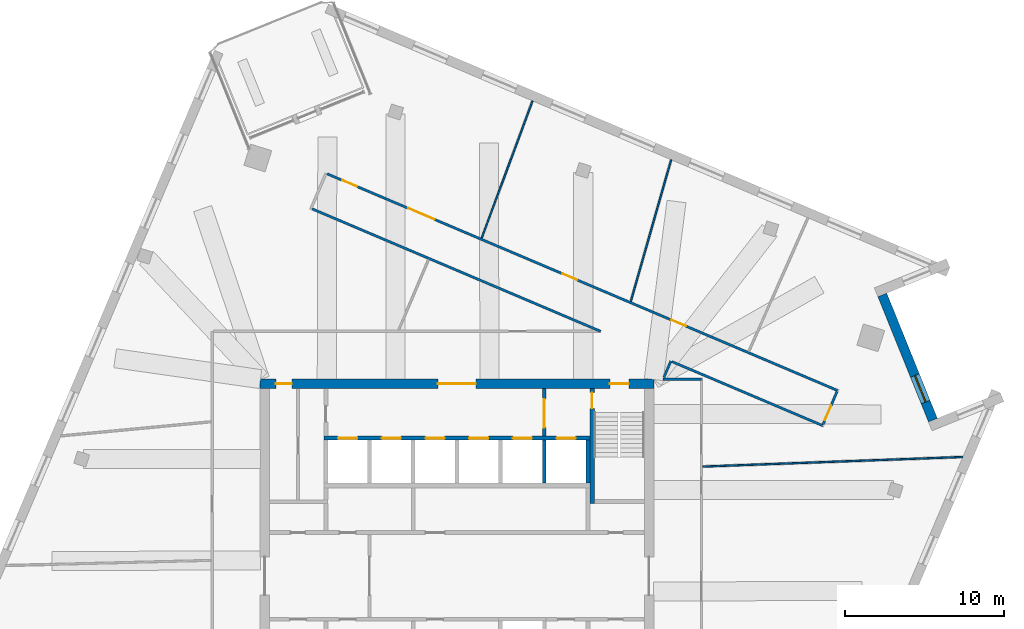
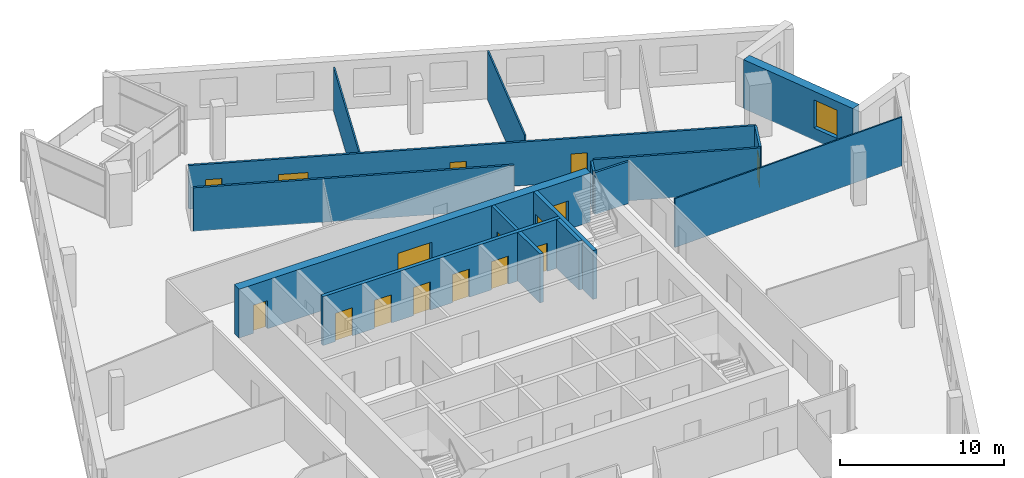
# One storey, part 10 of 13: 16 doors, 16 walls, 1 window, 17 openings.
"""IFC4 building model written with IfcOpenShell, lengths in metres."""

from ifc_helpers import new_model, si_unit, direction, frame, frame_2d, origin, place, context, subcontext, project, spatial, rectangle, extrude, material, layer, layer_set, type_object, element, fill, save


model = new_model("IFC4")

# Units and contexts
model_context = context("Model", 3, precision=1e-05, world=origin(), true_north=direction((0.0, 1.0)))
body_context = subcontext(model_context, "Body", "Model", "MODEL_VIEW")
ifc_project = project(units=[si_unit("LENGTHUNIT", "METRE"), si_unit("AREAUNIT", "SQUARE_METRE"), si_unit("VOLUMEUNIT", "CUBIC_METRE"), si_unit("PLANEANGLEUNIT", "RADIAN"), si_unit("MASSUNIT", "GRAM", prefix="KILO")], contexts=[model_context])

# Site, building, storey
site_placement = place(None, origin())
site = spatial("IfcSite", under=ifc_project, at=site_placement, CompositionType="ELEMENT")
building_placement = place(site_placement, origin())
building = spatial("IfcBuilding", under=site, at=building_placement, Name="Dilmun Exchange Tower", CompositionType="ELEMENT")
storey_placement = place(building_placement, frame((0.0, 0.0, 296.5)))
storey = spatial("IfcBuildingStorey", under=building, at=storey_placement, Name="L70", CompositionType="ELEMENT", Elevation=296.5)

# Wall, opening, door
ifc_material_1 = material(Name="Concrete C40/50", Category="concrete")
ifc_layer_1 = layer(ifc_material_1, 0.199951171875)
ifc_layer_set_1 = layer_set([ifc_layer_1], Name="Concrete C40/50")
wall_type_1 = type_object("IfcWallType", Name="Core partition wall 200", PredefinedType="PARTITIONING", material=ifc_layer_set_1)
wall_1_placement = place(storey_placement, frame((5.5, 8.804931640625, 0.0), z_axis=(0.0, 0.0, 1.0), x_axis=(0.0, 1.0, 0.0)))
wall_1 = element("IfcWall", 1, at=wall_1_placement, inside=storey, type_object=wall_type_1, Name="L70 core partition wall 20", PredefinedType="PARTITIONING", context=body_context, shape_type="SweptSolid", body=[
    extrude(rectangle(XDim=2.989990234375, YDim=0.199951171875, at=frame_2d((1.4951171875, 0.0))), origin(), (0.0, 0.0, 1.0), 3.64990234375),
])
opening_1_placement = place(wall_1_placement, frame((0.532470703125, 0.0, 0.0)))
opening_1 = element("IfcOpeningElement", 2, at=opening_1_placement, cuts=wall_1, Name="Opening CD5", PredefinedType="OPENING", context=body_context, shape_type="SweptSolid", body=[
    extrude(rectangle(XDim=1.800048828125, YDim=2.10009765625, at=frame_2d((0.89990234375, 1.050048828125))), frame((0.0, 0.10986328125, 0.0), z_axis=(0.0, -1.0, 0.0), x_axis=(1.0, 0.0, 0.0)), (0.0, 0.0, 1.0), 0.219970703125),
])
ifc_material_2 = material(Name="Fire-rated steel door set", Category="steel")
door_type_1 = type_object("IfcDoorType", Name="Stair exit door 1800x2100", OperationType="SINGLE_SWING_LEFT", PredefinedType="DOOR", material=ifc_material_2)
door_1_placement = place(opening_1_placement, origin())
door_1 = element("IfcDoor", 3, at=door_1_placement, inside=storey, type_object=door_type_1, Name="L70 door Lift lobby east", OperationType="SINGLE_SWING_LEFT", OverallHeight=2.10009765625, OverallWidth=1.800048828125, PredefinedType="DOOR", context=body_context, shape_type="SweptSolid", body=[
    extrude(rectangle(XDim=1.800048828125, YDim=2.10009765625, at=frame_2d((0.89990234375, 1.050048828125))), frame((0.0, 0.02490234375, 0.0), z_axis=(0.0, -1.0, 0.0), x_axis=(1.0, 0.0, 0.0)), (0.0, 0.0, 1.0), 0.050048828125),
])
fill(opening_1, door_1)

# Wall, openings, doors
ifc_material_3 = material(Name="Concrete C50/60", Category="concrete")
ifc_layer_2 = layer(ifc_material_3, 0.60009765625)
ifc_layer_set_2 = layer_set([ifc_layer_2], Name="Concrete C50/60")
wall_type_2 = type_object("IfcWallType", Name="Core shear wall 600 Concrete C50/60", PredefinedType="SHEAR", material=ifc_layer_set_2)
wall_2_placement = place(storey_placement, frame((-12.39990234375, 12.10009765625, 0.0), z_axis=(0.0, 0.0, 1.0), x_axis=(1.0, 0.0, 0.0)))
wall_2 = element("IfcWall", 4, at=wall_2_placement, inside=storey, type_object=wall_type_2, Name="L70 core shear wall N", PredefinedType="SHEAR", context=body_context, shape_type="SweptSolid", body=[
    extrude(rectangle(XDim=24.7998046875, YDim=0.60009765625, at=frame_2d((12.39990234375, 0.0))), origin(), (0.0, 0.0, 1.0), 3.64990234375),
])
opening_2_placement = place(wall_2_placement, frame((11.199951171875, 0.0, 0.0)))
opening_2 = element("IfcOpeningElement", 5, at=opening_2_placement, cuts=wall_2, Name="Opening CD1", PredefinedType="OPENING", context=body_context, shape_type="SweptSolid", body=[
    extrude(rectangle(XDim=2.39990234375, YDim=2.39990234375, at=frame_2d((1.199951171875, 1.199951171875))), frame((0.0, 0.31005859375, 0.0), z_axis=(0.0, -1.0, 0.0), x_axis=(1.0, 0.0, 0.0)), (0.0, 0.0, 1.0), 0.6201171875),
])
opening_3_placement = place(wall_2_placement, frame((22.02490234375, 0.0, 0.0)))
opening_3 = element("IfcOpeningElement", 6, at=opening_3_placement, cuts=wall_2, Name="Opening CD3", PredefinedType="OPENING", context=body_context, shape_type="SweptSolid", body=[
    extrude(rectangle(XDim=1.199951171875, YDim=2.10009765625, at=frame_2d((0.60009765625, 1.050048828125))), frame((0.0, 0.31005859375, 0.0), z_axis=(0.0, -1.0, 0.0), x_axis=(1.0, 0.0, 0.0)), (0.0, 0.0, 1.0), 0.6201171875),
])
opening_4_placement = place(wall_2_placement, frame((1.0, 0.0, 0.0)))
opening_4 = element("IfcOpeningElement", 7, at=opening_4_placement, cuts=wall_2, Name="Opening CD4", PredefinedType="OPENING", context=body_context, shape_type="SweptSolid", body=[
    extrude(rectangle(XDim=1.0, YDim=2.10009765625, at=frame_2d((0.5, 1.050048828125))), frame((0.0, 0.31005859375, 0.0), z_axis=(0.0, -1.0, 0.0), x_axis=(1.0, 0.0, 0.0)), (0.0, 0.0, 1.0), 0.6201171875),
])
door_type_2 = type_object("IfcDoorType", Name="Core lobby door 2400x2400", OperationType="DOUBLE_DOOR_DOUBLE_SWING", PredefinedType="DOOR", material=ifc_material_2)
door_2_placement = place(opening_2_placement, origin())
door_2 = element("IfcDoor", 8, at=door_2_placement, inside=storey, type_object=door_type_2, Name="L70 door North lift lobby", OperationType="SINGLE_SWING_LEFT", OverallHeight=2.39990234375, OverallWidth=2.39990234375, PredefinedType="DOOR", context=body_context, shape_type="SweptSolid", body=[
    extrude(rectangle(XDim=2.39990234375, YDim=2.39990234375, at=frame_2d((1.199951171875, 1.199951171875))), frame((0.0, 0.02490234375, 0.0), z_axis=(0.0, -1.0, 0.0), x_axis=(1.0, 0.0, 0.0)), (0.0, 0.0, 1.0), 0.050048828125),
])
fill(opening_2, door_2)
door_type_3 = type_object("IfcDoorType", Name="Core room door 1000x2100", OperationType="SINGLE_SWING_LEFT", PredefinedType="DOOR", material=ifc_material_2)
door_3_placement = place(opening_4_placement, origin())
door_3 = element("IfcDoor", 9, at=door_3_placement, inside=storey, type_object=door_type_3, Name="L70 door North-west core rooms", OperationType="SINGLE_SWING_LEFT", OverallHeight=2.10009765625, OverallWidth=1.0, PredefinedType="DOOR", context=body_context, shape_type="SweptSolid", body=[
    extrude(rectangle(XDim=1.0, YDim=2.10009765625, at=frame_2d((0.5, 1.050048828125))), frame((0.0, 0.02490234375, 0.0), z_axis=(0.0, -1.0, 0.0), x_axis=(1.0, 0.0, 0.0)), (0.0, 0.0, 1.0), 0.050048828125),
])
fill(opening_4, door_3)
door_type_4 = type_object("IfcDoorType", Name="Stair exit door 1200x2100", OperationType="SINGLE_SWING_LEFT", PredefinedType="DOOR", material=ifc_material_2)
door_4_placement = place(opening_3_placement, origin())
door_4 = element("IfcDoor", 10, at=door_4_placement, inside=storey, type_object=door_type_4, Name="L70 door Stair ST1", OperationType="SINGLE_SWING_LEFT", OverallHeight=2.10009765625, OverallWidth=1.199951171875, PredefinedType="DOOR", context=body_context, shape_type="SweptSolid", body=[
    extrude(rectangle(XDim=1.199951171875, YDim=2.10009765625, at=frame_2d((0.60009765625, 1.050048828125))), frame((0.0, 0.02490234375, 0.0), z_axis=(0.0, -1.0, 0.0), x_axis=(1.0, 0.0, 0.0)), (0.0, 0.0, 1.0), 0.050048828125),
])
fill(opening_3, door_4)

# Wall
ifc_material_4 = material(Name="Corridor wall 150")
ifc_layer_3 = layer(ifc_material_4, 0.14990234375)
ifc_layer_set_3 = layer_set([ifc_layer_3], Name="Corridor wall 150")
wall_type_3 = type_object("IfcWallType", Name="Corridor wall 150", PredefinedType="PARTITIONING", material=ifc_layer_set_3)
wall_3_placement = place(storey_placement, frame((-9.114013671875, 23.11572265625, 0.0), z_axis=(0.0, 0.0, 1.0), x_axis=(0.920508047483, -0.390723603739, 0.0)))
element("IfcWall", 11, at=wall_3_placement, inside=storey, type_object=wall_type_3, Name="Corridor wall", PredefinedType="PARTITIONING", context=body_context, shape_type="SweptSolid", body=[
    extrude(rectangle(XDim=19.73681640625, YDim=0.14990234375, at=frame_2d((9.868408203125, 0.0))), origin(), (0.0, 0.0, 1.0), 3.25),
])

# Wall, openings, doors
wall_4_placement = place(storey_placement, frame((-8.176025390625, 25.32470703125, 0.0), z_axis=(0.0, 0.0, 1.0), x_axis=(0.920507643781, -0.390724554821, 0.0)))
wall_4 = element("IfcWall", 12, at=wall_4_placement, inside=storey, type_object=wall_type_3, Name="Corridor wall", PredefinedType="PARTITIONING", context=body_context, shape_type="SweptSolid", body=[
    extrude(rectangle(XDim=34.916748046875, YDim=0.14990234375, at=frame_2d((17.45849609375, 0.0))), origin(), (0.0, 0.0, 1.0), 3.25),
])
opening_5_placement = place(wall_4_placement, frame((5.550048828125, 0.0, 0.0)))
opening_5 = element("IfcOpeningElement", 13, at=opening_5_placement, cuts=wall_4, Name="Opening TF70-D06", PredefinedType="OPENING", context=body_context, shape_type="SweptSolid", body=[
    extrude(rectangle(XDim=1.800048828125, YDim=2.10009765625, at=frame_2d((0.89990234375, 1.050048828125))), frame((0.0, 0.0849609375, 0.0), z_axis=(0.0, -1.0, 0.0), x_axis=(1.0, 0.0, 0.0)), (0.0, 0.0, 1.0), 0.169921875),
])
opening_6_placement = place(wall_4_placement, frame((1.050048828125, 0.0, 0.0)))
opening_6 = element("IfcOpeningElement", 14, at=opening_6_placement, cuts=wall_4, Name="Opening TF70-D07", PredefinedType="OPENING", context=body_context, shape_type="SweptSolid", body=[
    extrude(rectangle(XDim=1.0, YDim=2.10009765625, at=frame_2d((0.5, 1.050048828125))), frame((0.0, 0.0849609375, 0.0), z_axis=(0.0, -1.0, 0.0), x_axis=(1.0, 0.0, 0.0)), (0.0, 0.0, 1.0), 0.169921875),
])
opening_7_placement = place(wall_4_placement, frame((16.097900390625, 0.0, 0.0)))
opening_7 = element("IfcOpeningElement", 15, at=opening_7_placement, cuts=wall_4, Name="Opening TF70-D12", PredefinedType="OPENING", context=body_context, shape_type="SweptSolid", body=[
    extrude(rectangle(XDim=1.0, YDim=2.10009765625, at=frame_2d((0.5, 1.050048828125))), frame((0.0, 0.0849609375, 0.0), z_axis=(0.0, -1.0, 0.0), x_axis=(1.0, 0.0, 0.0)), (0.0, 0.0, 1.0), 0.169921875),
])
opening_8_placement = place(wall_4_placement, frame((23.547119140625, 0.0, 0.0)))
opening_8 = element("IfcOpeningElement", 16, at=opening_8_placement, cuts=wall_4, Name="Opening TF70-D13", PredefinedType="OPENING", context=body_context, shape_type="SweptSolid", body=[
    extrude(rectangle(XDim=1.0, YDim=2.10009765625, at=frame_2d((0.5, 1.050048828125))), frame((0.0, 0.0849609375, 0.0), z_axis=(0.0, -1.0, 0.0), x_axis=(1.0, 0.0, 0.0)), (0.0, 0.0, 1.0), 0.169921875),
])
ifc_material_5 = material(Name="Fire door 1000 x 2100")
door_type_5 = type_object("IfcDoorType", Name="Fire door 1000 x 2100", OperationType="NOTDEFINED", PredefinedType="DOOR", material=ifc_material_5)
door_5_placement = place(opening_6_placement, origin())
door_5 = element("IfcDoor", 17, at=door_5_placement, inside=storey, type_object=door_type_5, Name="Door TF70-D07", OperationType="SINGLE_SWING_LEFT", OverallHeight=2.10009765625, OverallWidth=1.0, PredefinedType="DOOR", context=body_context, shape_type="SweptSolid", body=[
    extrude(rectangle(XDim=1.0, YDim=2.10009765625, at=frame_2d((0.5, 1.050048828125))), frame((0.0, 0.02490234375, 0.0), z_axis=(0.0, -1.0, 0.0), x_axis=(1.0, 0.0, 0.0)), (0.0, 0.0, 1.0), 0.050048828125),
])
fill(opening_6, door_5)
door_6_placement = place(opening_7_placement, origin())
door_6 = element("IfcDoor", 18, at=door_6_placement, inside=storey, type_object=door_type_5, Name="Door TF70-D12", OperationType="SINGLE_SWING_RIGHT", OverallHeight=2.10009765625, OverallWidth=1.0, PredefinedType="DOOR", context=body_context, shape_type="SweptSolid", body=[
    extrude(rectangle(XDim=1.0, YDim=2.10009765625, at=frame_2d((0.5, 1.050048828125))), frame((0.0, 0.02490234375, 0.0), z_axis=(0.0, -1.0, 0.0), x_axis=(1.0, 0.0, 0.0)), (0.0, 0.0, 1.0), 0.050048828125),
])
fill(opening_7, door_6)
door_7_placement = place(opening_8_placement, origin())
door_7 = element("IfcDoor", 19, at=door_7_placement, inside=storey, type_object=door_type_5, Name="Door TF70-D13", OperationType="SINGLE_SWING_RIGHT", OverallHeight=2.10009765625, OverallWidth=1.0, PredefinedType="DOOR", context=body_context, shape_type="SweptSolid", body=[
    extrude(rectangle(XDim=1.0, YDim=2.10009765625, at=frame_2d((0.5, 1.050048828125))), frame((0.0, 0.02490234375, 0.0), z_axis=(0.0, -1.0, 0.0), x_axis=(1.0, 0.0, 0.0)), (0.0, 0.0, 1.0), 0.050048828125),
])
fill(opening_8, door_7)
ifc_material_6 = material(Name="Fire door pair 1800 x 2100")
door_type_6 = type_object("IfcDoorType", Name="Fire door pair 1800 x 2100", OperationType="NOTDEFINED", PredefinedType="DOOR", material=ifc_material_6)
door_8_placement = place(opening_5_placement, origin())
door_8 = element("IfcDoor", 20, at=door_8_placement, inside=storey, type_object=door_type_6, Name="Door TF70-D06", OperationType="DOUBLE_DOOR_SINGLE_SWING", OverallHeight=2.10009765625, OverallWidth=1.800048828125, PredefinedType="DOOR", context=body_context, shape_type="SweptSolid", body=[
    extrude(rectangle(XDim=1.800048828125, YDim=2.10009765625, at=frame_2d((0.89990234375, 1.050048828125))), frame((0.0, 0.02490234375, 0.0), z_axis=(0.0, -1.0, 0.0), x_axis=(1.0, 0.0, 0.0)), (0.0, 0.0, 1.0), 0.050048828125),
])
fill(opening_5, door_8)

# Walls
wall_5_placement = place(storey_placement, frame((12.990966796875, 12.39990234375, 0.0), z_axis=(0.0, 0.0, 1.0), x_axis=(1.0, 0.0, 0.0)))
element("IfcWall", 21, at=wall_5_placement, inside=storey, type_object=wall_type_3, Name="Corridor wall", PredefinedType="PARTITIONING", context=body_context, shape_type="SweptSolid", body=[
    extrude(rectangle(XDim=2.408935546875, YDim=0.14990234375, at=frame_2d((1.20458984375, 0.0))), origin(), (0.0, 0.0, 1.0), 3.1298828125),
])
wall_6_placement = place(storey_placement, frame((13.03515625, 12.50439453125, 0.0), z_axis=(0.0, 0.0, 1.0), x_axis=(0.390634335845, 0.920545933487, 0.0)))
element("IfcWall", 22, at=wall_6_placement, inside=storey, type_object=wall_type_3, Name="Corridor wall", PredefinedType="PARTITIONING", context=body_context, shape_type="SweptSolid", body=[
    extrude(rectangle(XDim=1.113037109375, YDim=0.14990234375, at=frame_2d((0.556640625, 0.0))), origin(), (0.0, 0.0, 1.0), 3.1298828125),
])
wall_7_placement = place(storey_placement, frame((13.5390625, 13.499755859375, 0.0), z_axis=(0.0, 0.0, 1.0), x_axis=(0.920505387388, -0.390729870613, 0.0)))
element("IfcWall", 23, at=wall_7_placement, inside=storey, type_object=wall_type_3, Name="Corridor wall", PredefinedType="PARTITIONING", context=body_context, shape_type="SweptSolid", body=[
    extrude(rectangle(XDim=10.30859375, YDim=0.14990234375, at=frame_2d((5.154296875, 0.0))), origin(), (0.0, 0.0, 1.0), 3.25),
])

# Wall, opening, door
wall_8_placement = place(storey_placement, frame((23.057373046875, 9.5419921875, 0.0), z_axis=(0.0, 0.0, 1.0), x_axis=(0.390510824394, 0.920598335883, 0.0)))
wall_8 = element("IfcWall", 24, at=wall_8_placement, inside=storey, type_object=wall_type_3, Name="Corridor wall", PredefinedType="PARTITIONING", context=body_context, shape_type="SweptSolid", body=[
    extrude(rectangle(XDim=2.24951171875, YDim=0.14990234375, at=frame_2d((1.124755859375, 0.0))), origin(), (0.0, 0.0, 1.0), 3.25),
])
opening_9_placement = place(wall_8_placement, frame((0.300048828125, 0.0, 0.0)))
opening_9 = element("IfcOpeningElement", 25, at=opening_9_placement, cuts=wall_8, Name="Opening TF70-D19", PredefinedType="OPENING", context=body_context, shape_type="SweptSolid", body=[
    extrude(rectangle(XDim=1.0, YDim=2.10009765625, at=frame_2d((0.5, 1.050048828125))), frame((0.0, 0.0849609375, 0.0), z_axis=(0.0, -1.0, 0.0), x_axis=(1.0, 0.0, 0.0)), (0.0, 0.0, 1.0), 0.169921875),
])
door_9_placement = place(opening_9_placement, frame((1.0, 0.0, 0.0), z_axis=(0.0, 0.0, 1.0), x_axis=(-1.0, 0.0, 0.0)))
door_9 = element("IfcDoor", 26, at=door_9_placement, inside=storey, type_object=door_type_5, Name="Door TF70-D19", OperationType="SINGLE_SWING_RIGHT", OverallHeight=2.10009765625, OverallWidth=1.0, PredefinedType="DOOR", context=body_context, shape_type="SweptSolid", body=[
    extrude(rectangle(XDim=1.0, YDim=2.10009765625, at=frame_2d((0.5, 1.050048828125))), frame((0.0, 0.02490234375, 0.0), z_axis=(0.0, -1.0, 0.0), x_axis=(1.0, 0.0, 0.0)), (0.0, 0.0, 1.0), 0.050048828125),
])
fill(opening_9, door_9)

# Wall, openings, doors
ifc_layer_4 = layer(ifc_material_1, 0.25)
ifc_layer_set_4 = layer_set([ifc_layer_4], Name="Concrete C40/50")
wall_type_4 = type_object("IfcWallType", Name="Lift shaft wall 250", PredefinedType="SOLIDWALL", material=ifc_layer_set_4)
wall_9_placement = place(storey_placement, frame((-8.375, 8.675048828125, 0.0), z_axis=(0.0, 0.0, 1.0), x_axis=(1.0, 0.0, 0.0)))
wall_9 = element("IfcWall", 27, at=wall_9_placement, inside=storey, type_object=wall_type_4, Name="L70 lift shaft front wall N2", PredefinedType="SOLIDWALL", context=body_context, shape_type="SweptSolid", body=[
    extrude(rectangle(XDim=16.75, YDim=0.25, at=frame_2d((8.375, 0.0))), origin(), (0.0, 0.0, 1.0), 3.64990234375),
])
opening_10_placement = place(wall_9_placement, frame((0.89990234375, 0.0, 0.0)))
opening_10 = element("IfcOpeningElement", 28, at=opening_10_placement, cuts=wall_9, Name="Opening LD", PredefinedType="OPENING", context=body_context, shape_type="SweptSolid", body=[
    extrude(rectangle(XDim=1.199951171875, YDim=2.10009765625, at=frame_2d((0.60009765625, 1.050048828125))), frame((0.0, 0.135009765625, 0.0), z_axis=(0.0, -1.0, 0.0), x_axis=(1.0, 0.0, 0.0)), (0.0, 0.0, 1.0), 0.27001953125),
])
opening_11_placement = place(wall_9_placement, frame((3.64990234375, 0.0, 0.0)))
opening_11 = element("IfcOpeningElement", 29, at=opening_11_placement, cuts=wall_9, Name="Opening LD", PredefinedType="OPENING", context=body_context, shape_type="SweptSolid", body=[
    extrude(rectangle(XDim=1.199951171875, YDim=2.10009765625, at=frame_2d((0.60009765625, 1.050048828125))), frame((0.0, 0.135009765625, 0.0), z_axis=(0.0, -1.0, 0.0), x_axis=(1.0, 0.0, 0.0)), (0.0, 0.0, 1.0), 0.27001953125),
])
opening_12_placement = place(wall_9_placement, frame((6.39990234375, 0.0, 0.0)))
opening_12 = element("IfcOpeningElement", 30, at=opening_12_placement, cuts=wall_9, Name="Opening LD", PredefinedType="OPENING", context=body_context, shape_type="SweptSolid", body=[
    extrude(rectangle(XDim=1.199951171875, YDim=2.10009765625, at=frame_2d((0.60009765625, 1.050048828125))), frame((0.0, 0.135009765625, 0.0), z_axis=(0.0, -1.0, 0.0), x_axis=(1.0, 0.0, 0.0)), (0.0, 0.0, 1.0), 0.27001953125),
])
opening_13_placement = place(wall_9_placement, frame((9.14990234375, 0.0, 0.0)))
opening_13 = element("IfcOpeningElement", 31, at=opening_13_placement, cuts=wall_9, Name="Opening LD", PredefinedType="OPENING", context=body_context, shape_type="SweptSolid", body=[
    extrude(rectangle(XDim=1.199951171875, YDim=2.10009765625, at=frame_2d((0.60009765625, 1.050048828125))), frame((0.0, 0.135009765625, 0.0), z_axis=(0.0, -1.0, 0.0), x_axis=(1.0, 0.0, 0.0)), (0.0, 0.0, 1.0), 0.27001953125),
])
opening_14_placement = place(wall_9_placement, frame((11.89990234375, 0.0, 0.0)))
opening_14 = element("IfcOpeningElement", 32, at=opening_14_placement, cuts=wall_9, Name="Opening LD", PredefinedType="OPENING", context=body_context, shape_type="SweptSolid", body=[
    extrude(rectangle(XDim=1.199951171875, YDim=2.10009765625, at=frame_2d((0.60009765625, 1.050048828125))), frame((0.0, 0.135009765625, 0.0), z_axis=(0.0, -1.0, 0.0), x_axis=(1.0, 0.0, 0.0)), (0.0, 0.0, 1.0), 0.27001953125),
])
opening_15_placement = place(wall_9_placement, frame((14.64990234375, 0.0, 0.0)))
opening_15 = element("IfcOpeningElement", 33, at=opening_15_placement, cuts=wall_9, Name="Opening LD", PredefinedType="OPENING", context=body_context, shape_type="SweptSolid", body=[
    extrude(rectangle(XDim=1.199951171875, YDim=2.10009765625, at=frame_2d((0.60009765625, 1.050048828125))), frame((0.0, 0.135009765625, 0.0), z_axis=(0.0, -1.0, 0.0), x_axis=(1.0, 0.0, 0.0)), (0.0, 0.0, 1.0), 0.27001953125),
])
door_type_7 = type_object("IfcDoorType", Name="Lift landing door 1200x2100", OperationType="DOUBLE_DOOR_SLIDING", PredefinedType="DOOR", material=ifc_material_2)
door_10_placement = place(opening_10_placement, origin())
door_10 = element("IfcDoor", 34, at=door_10_placement, inside=storey, type_object=door_type_7, Name="L70 landing door HR1", OperationType="DOUBLE_DOOR_SLIDING", OverallHeight=2.10009765625, OverallWidth=1.199951171875, PredefinedType="DOOR", context=body_context, shape_type="SweptSolid", body=[
    extrude(rectangle(XDim=1.199951171875, YDim=2.10009765625, at=frame_2d((0.60009765625, 1.050048828125))), frame((0.0, 0.02490234375, 0.0), z_axis=(0.0, -1.0, 0.0), x_axis=(1.0, 0.0, 0.0)), (0.0, 0.0, 1.0), 0.050048828125),
])
fill(opening_10, door_10)
door_11_placement = place(opening_11_placement, origin())
door_11 = element("IfcDoor", 35, at=door_11_placement, inside=storey, type_object=door_type_7, Name="L70 landing door HR2", OperationType="DOUBLE_DOOR_SLIDING", OverallHeight=2.10009765625, OverallWidth=1.199951171875, PredefinedType="DOOR", context=body_context, shape_type="SweptSolid", body=[
    extrude(rectangle(XDim=1.199951171875, YDim=2.10009765625, at=frame_2d((0.60009765625, 1.050048828125))), frame((0.0, 0.02490234375, 0.0), z_axis=(0.0, -1.0, 0.0), x_axis=(1.0, 0.0, 0.0)), (0.0, 0.0, 1.0), 0.050048828125),
])
fill(opening_11, door_11)
door_12_placement = place(opening_12_placement, origin())
door_12 = element("IfcDoor", 36, at=door_12_placement, inside=storey, type_object=door_type_7, Name="L70 landing door HR3", OperationType="DOUBLE_DOOR_SLIDING", OverallHeight=2.10009765625, OverallWidth=1.199951171875, PredefinedType="DOOR", context=body_context, shape_type="SweptSolid", body=[
    extrude(rectangle(XDim=1.199951171875, YDim=2.10009765625, at=frame_2d((0.60009765625, 1.050048828125))), frame((0.0, 0.02490234375, 0.0), z_axis=(0.0, -1.0, 0.0), x_axis=(1.0, 0.0, 0.0)), (0.0, 0.0, 1.0), 0.050048828125),
])
fill(opening_12, door_12)
door_13_placement = place(opening_13_placement, origin())
door_13 = element("IfcDoor", 37, at=door_13_placement, inside=storey, type_object=door_type_7, Name="L70 landing door HR4", OperationType="DOUBLE_DOOR_SLIDING", OverallHeight=2.10009765625, OverallWidth=1.199951171875, PredefinedType="DOOR", context=body_context, shape_type="SweptSolid", body=[
    extrude(rectangle(XDim=1.199951171875, YDim=2.10009765625, at=frame_2d((0.60009765625, 1.050048828125))), frame((0.0, 0.02490234375, 0.0), z_axis=(0.0, -1.0, 0.0), x_axis=(1.0, 0.0, 0.0)), (0.0, 0.0, 1.0), 0.050048828125),
])
fill(opening_13, door_13)
door_14_placement = place(opening_14_placement, origin())
door_14 = element("IfcDoor", 38, at=door_14_placement, inside=storey, type_object=door_type_7, Name="L70 landing door HR5", OperationType="DOUBLE_DOOR_SLIDING", OverallHeight=2.10009765625, OverallWidth=1.199951171875, PredefinedType="DOOR", context=body_context, shape_type="SweptSolid", body=[
    extrude(rectangle(XDim=1.199951171875, YDim=2.10009765625, at=frame_2d((0.60009765625, 1.050048828125))), frame((0.0, 0.02490234375, 0.0), z_axis=(0.0, -1.0, 0.0), x_axis=(1.0, 0.0, 0.0)), (0.0, 0.0, 1.0), 0.050048828125),
])
fill(opening_14, door_14)
door_15_placement = place(opening_15_placement, origin())
door_15 = element("IfcDoor", 39, at=door_15_placement, inside=storey, type_object=door_type_7, Name="L70 landing door HR6", OperationType="DOUBLE_DOOR_SLIDING", OverallHeight=2.10009765625, OverallWidth=1.199951171875, PredefinedType="DOOR", context=body_context, shape_type="SweptSolid", body=[
    extrude(rectangle(XDim=1.199951171875, YDim=2.10009765625, at=frame_2d((0.60009765625, 1.050048828125))), frame((0.0, 0.02490234375, 0.0), z_axis=(0.0, -1.0, 0.0), x_axis=(1.0, 0.0, 0.0)), (0.0, 0.0, 1.0), 0.050048828125),
])
fill(opening_15, door_15)

# Walls
for number, where, z_axis, x_axis, name in (
    (40, (5.5, 5.85009765625, 0.0), (0.0, 0.0, 1.0), (0.0, 1.0, 0.0), "L70 lift shaft divider N25"),
    (41, (8.25, 5.85009765625, 0.0), (0.0, 0.0, 1.0), (0.0, 1.0, 0.0), "L70 lift shaft divider N26"),
):
    element("IfcWall", number, at=place(storey_placement, frame(where, z_axis=z_axis, x_axis=x_axis)), inside=storey, type_object=wall_type_4, Name=name, PredefinedType="SOLIDWALL", context=body_context, shape_type="SweptSolid", body=[
        extrude(rectangle(XDim=2.699951171875, YDim=0.25, at=frame_2d((1.35009765625, 0.0))), origin(), (0.0, 0.0, 1.0), 3.64990234375),
    ])
ifc_material_7 = material(Name="Partition 100")
ifc_layer_5 = layer(ifc_material_7, 0.10009765625)
ifc_layer_set_5 = layer_set([ifc_layer_5], Name="Partition 100")
wall_type_5 = type_object("IfcWallType", Name="Partition 100", PredefinedType="PARTITIONING", material=ifc_layer_set_5)
wall_10_placement = place(storey_placement, frame((1.56201171875, 21.275634765625, 0.0), z_axis=(0.0, 0.0, 1.0), x_axis=(0.346967394258, 0.937877192025, 0.0)))
element("IfcWall", 42, at=wall_10_placement, inside=storey, type_object=wall_type_5, Name="Partition", PredefinedType="PARTITIONING", context=body_context, shape_type="SweptSolid", body=[
    extrude(rectangle(XDim=9.21337890625, YDim=0.10009765625, at=frame_2d((4.606689453125, 0.0))), origin(), (0.0, 0.0, 1.0), 3.25),
])
wall_11_placement = place(storey_placement, frame((10.948486328125, 17.295654296875, 0.0), z_axis=(0.0, 0.0, 1.0), x_axis=(0.274428926373, 0.961607385771, 0.0)))
element("IfcWall", 43, at=wall_11_placement, inside=storey, type_object=wall_type_5, Name="Partition", PredefinedType="PARTITIONING", context=body_context, shape_type="SweptSolid", body=[
    extrude(rectangle(XDim=9.27001953125, YDim=0.10009765625, at=frame_2d((4.635009765625, 0.0))), origin(), (0.0, 0.0, 1.0), 3.64990234375),
])
wall_12_placement = place(storey_placement, frame((15.476806640625, 6.888916015625, 0.0), z_axis=(0.0, 0.0, 1.0), x_axis=(0.999319883967, 0.036875052648, 0.0)))
element("IfcWall", 44, at=wall_12_placement, inside=storey, type_object=wall_type_5, Name="Partition", PredefinedType="PARTITIONING", context=body_context, shape_type="SweptSolid", body=[
    extrude(rectangle(XDim=16.39306640625, YDim=0.10009765625, at=frame_2d((8.196533203125, 0.0))), origin(), (0.0, 0.0, 1.0), 3.64990234375),
])

# Wall, opening, window
ifc_material_8 = material(Name="Precast concrete C50/60", Category="concrete")
ifc_layer_6 = layer(ifc_material_8, 0.60009765625)
ifc_layer_set_6 = layer_set([ifc_layer_6], Name="Precast concrete C50/60")
wall_type_6 = type_object("IfcWallType", Name="Precast stone-clad wall 600", PredefinedType="STANDARD", material=ifc_layer_set_6)
wall_13_placement = place(storey_placement, frame((29.9755859375, 9.81494140625, 0.0), z_axis=(0.0, 0.0, 1.0), x_axis=(-0.374622134294, 0.927177575493, 0.0)))
wall_13 = element("IfcWall", 45, at=wall_13_placement, inside=storey, type_object=wall_type_6, Name="Facade wall L70-13", PredefinedType="STANDARD", context=body_context, shape_type="SweptSolid", body=[
    extrude(rectangle(XDim=8.5, YDim=0.60009765625, at=frame_2d((4.25, 0.0))), origin(), (0.0, 0.0, 1.0), 3.64990234375),
])
opening_16_placement = place(wall_13_placement, frame((1.22509765625, 0.0, 0.89990234375)))
opening_16 = element("IfcOpeningElement", 46, at=opening_16_placement, cuts=wall_13, Name="Opening W180-210", PredefinedType="OPENING", context=body_context, shape_type="SweptSolid", body=[
    extrude(rectangle(XDim=1.800048828125, YDim=2.10009765625, at=frame_2d((0.89990234375, 1.050048828125))), frame((0.0, 0.31005859375, 0.0), z_axis=(0.0, -1.0, 0.0), x_axis=(1.0, 0.0, 0.0)), (0.0, 0.0, 1.0), 0.6201171875),
])
ifc_material_9 = material(Name="Clear low-emissivity glass in aluminium frame", Category="aluminium")
window_type = type_object("IfcWindowType", Name="Punched window 1800 x 2100", PartitioningType="DOUBLE_PANEL_VERTICAL", PredefinedType="WINDOW", material=ifc_material_9)
window_placement = place(opening_16_placement, origin())
window = element("IfcWindow", 47, at=window_placement, inside=storey, type_object=window_type, Name="Window 14.1", OverallHeight=2.10009765625, OverallWidth=1.800048828125, PartitioningType="SINGLE_PANEL", PredefinedType="WINDOW", context=body_context, shape_type="SweptSolid", body=[
    extrude(rectangle(XDim=1.800048828125, YDim=2.10009765625, at=frame_2d((0.89990234375, 1.050048828125))), frame((0.0, 0.030029296875, 0.0), z_axis=(0.0, -1.0, 0.0), x_axis=(1.0, 0.0, 0.0)), (0.0, 0.0, 1.0), 0.06005859375),
])
fill(opening_16, window)

# Wall, opening, door
ifc_layer_7 = layer(ifc_material_1, 0.27490234375)
ifc_layer_set_7 = layer_set([ifc_layer_7], Name="Concrete C40/50")
wall_type_7 = type_object("IfcWallType", Name="Stair wall 275", PredefinedType="SOLIDWALL", material=ifc_layer_set_7)
wall_14_placement = place(storey_placement, frame((8.512451171875, 4.550048828125, 0.0), z_axis=(0.0, 0.0, 1.0), x_axis=(0.0, 1.0, 0.0)))
wall_14 = element("IfcWall", 48, at=wall_14_placement, inside=storey, type_object=wall_type_7, Name="L70 ST1 wall to lift block", PredefinedType="SOLIDWALL", context=body_context, shape_type="SweptSolid", body=[
    extrude(rectangle(XDim=7.25, YDim=0.27490234375, at=frame_2d((3.625, 0.0))), origin(), (0.0, 0.0, 1.0), 3.64990234375),
])
opening_17_placement = place(wall_14_placement, frame((6.0, 0.0, 0.0)))
opening_17 = element("IfcOpeningElement", 49, at=opening_17_placement, cuts=wall_14, Name="Opening CD4", PredefinedType="OPENING", context=body_context, shape_type="SweptSolid", body=[
    extrude(rectangle(XDim=1.0, YDim=2.10009765625, at=frame_2d((0.5, 1.050048828125))), frame((0.0, 0.1474609375, 0.0), z_axis=(0.0, -1.0, 0.0), x_axis=(1.0, 0.0, 0.0)), (0.0, 0.0, 1.0), 0.294921875),
])
door_16_placement = place(opening_17_placement, origin())
door_16 = element("IfcDoor", 50, at=door_16_placement, inside=storey, type_object=door_type_3, Name="L70 door ST1 from lobby", OperationType="SINGLE_SWING_LEFT", OverallHeight=2.10009765625, OverallWidth=1.0, PredefinedType="DOOR", context=body_context, shape_type="SweptSolid", body=[
    extrude(rectangle(XDim=1.0, YDim=2.10009765625, at=frame_2d((0.5, 1.050048828125))), frame((0.0, 0.02490234375, 0.0), z_axis=(0.0, -1.0, 0.0), x_axis=(1.0, 0.0, 0.0)), (0.0, 0.0, 1.0), 0.050048828125),
])
fill(opening_17, door_16)

save(model, "model.ifc")
